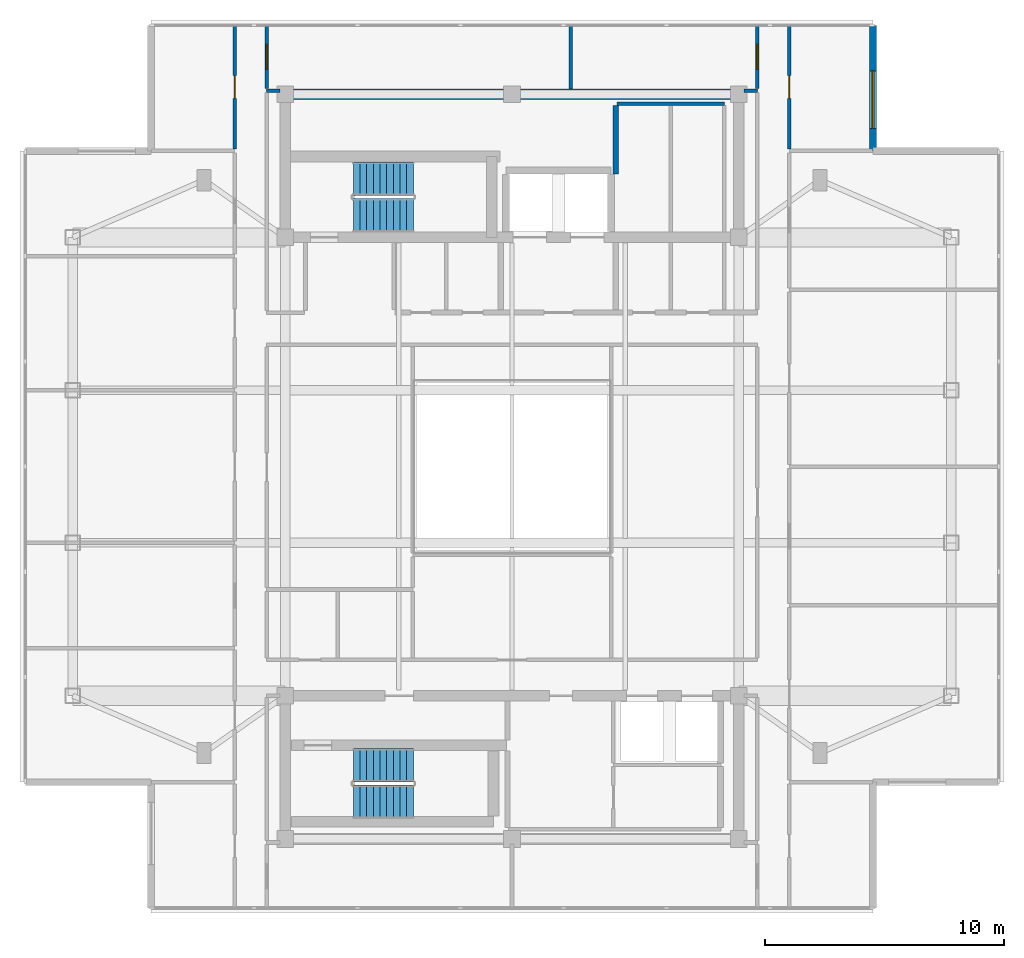
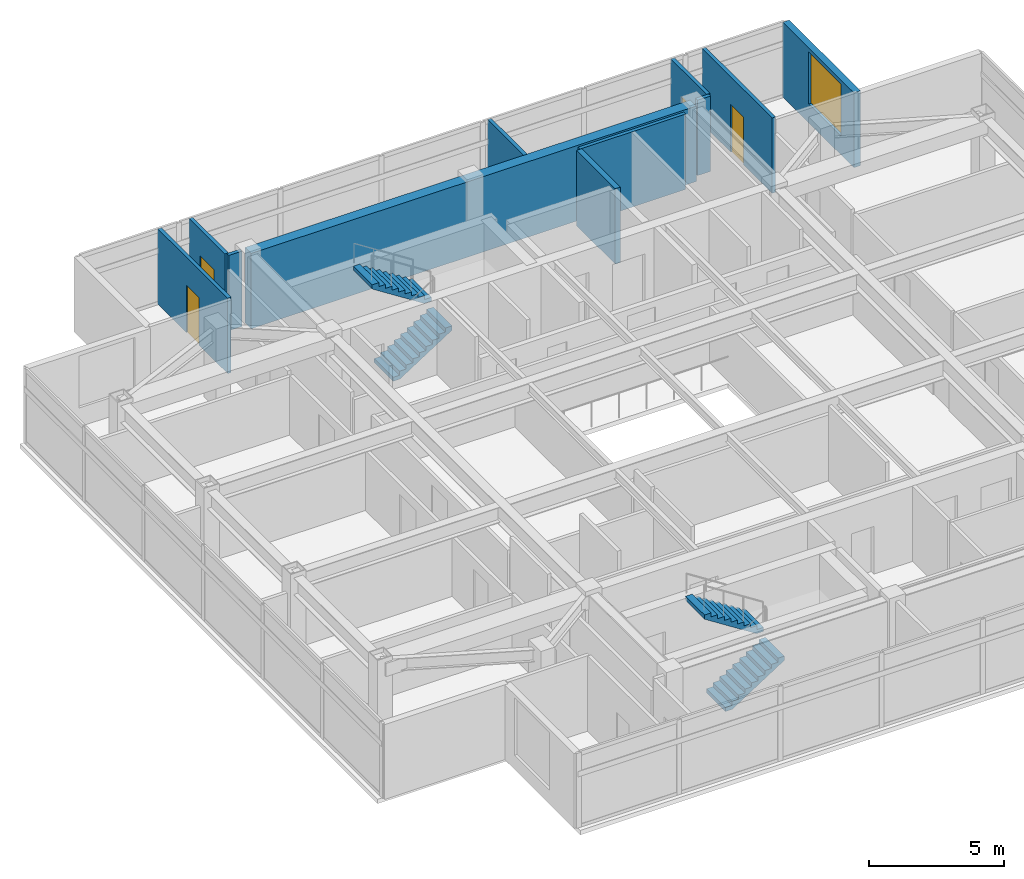
# One storey, part 8 of 12: 11 walls, 4 doors, 4 stair flights, 1 window, 5 openings, 2 elements without a shape of their own.
"""IFC4 building model written with IfcOpenShell, lengths in metres."""

from ifc_helpers import new_model, si_unit, direction, frame, frame_2d, origin, place, context, subcontext, project, spatial, polyline, rectangle, outline, extrude, material, layer, layer_set, type_object, element, fill, aggregate, save


model = new_model("IFC4")

# Units and contexts
model_context = context("Model", 3, precision=1e-05, world=origin(), true_north=direction((0.0, 1.0)))
body_context = subcontext(model_context, "Body", "Model", "MODEL_VIEW")
ifc_project = project(units=[si_unit("LENGTHUNIT", "METRE"), si_unit("AREAUNIT", "SQUARE_METRE"), si_unit("VOLUMEUNIT", "CUBIC_METRE"), si_unit("PLANEANGLEUNIT", "RADIAN"), si_unit("MASSUNIT", "GRAM", prefix="KILO")], contexts=[model_context])

# Site, building, storey
site_placement = place(None, origin())
site = spatial("IfcSite", under=ifc_project, at=site_placement, CompositionType="ELEMENT")
building_placement = place(site_placement, origin())
building = spatial("IfcBuilding", under=site, at=building_placement, Name="Mirazonda Arch Towers", CompositionType="ELEMENT")
storey_placement = place(building_placement, frame((0.0, 0.0, 256.300048828125)))
storey = spatial("IfcBuildingStorey", under=building, at=storey_placement, Name="L73", CompositionType="ELEMENT", Elevation=256.300048828125)

# Wall
ifc_material_1 = material(Name="Concrete C50/60", Category="concrete")
ifc_layer_1 = layer(ifc_material_1, 0.449951171875, Name="WALL-CORE-450")
ifc_layer_set_1 = layer_set([ifc_layer_1], Name="Concrete C50/60")
wall_type_1 = type_object("IfcWallType", Name="WALL-CORE-450", PredefinedType="SHEAR", material=ifc_layer_set_1)
wall_1_placement = place(storey_placement, frame((11.0, 43.60009765625, 0.0), z_axis=(0.0, 0.0, 1.0), x_axis=(1.0, 0.0, 0.0)))
element("IfcWall", 1, at=wall_1_placement, inside=storey, type_object=wall_type_1, Name="L73 T1N-N Core Shear Wall", PredefinedType="SHEAR", context=body_context, shape_type="SweptSolid", body=[
    extrude(rectangle(XDim=19.0, YDim=0.449951171875, at=frame_2d((9.5, 0.0))), origin(), (0.0, 0.0, 1.0), 3.39990234375),
])

# Wall, opening, window
ifc_material_2 = material(Name="Precast Concrete C40/50", Category="concrete")
ifc_layer_2 = layer(ifc_material_2, 0.280029296875, Name="WALL-EXT-WALL-280")
ifc_layer_set_2 = layer_set([ifc_layer_2], Name="Precast Concrete C40/50")
wall_type_2 = type_object("IfcWallType", Name="WALL-EXT-WALL-280", PredefinedType="SOLIDWALL", material=ifc_layer_set_2)
wall_2_placement = place(storey_placement, frame((35.625, 41.220947265625, 0.0), z_axis=(0.0, 0.0, 1.0), x_axis=(0.0, 1.0, 0.0)))
wall_2 = element("IfcWall", 2, at=wall_2_placement, inside=storey, type_object=wall_type_2, Name="L73 T1 Notched NE Corner Wall WL-L73-T1-CNE", PredefinedType="SOLIDWALL", context=body_context, shape_type="SweptSolid", body=[
    extrude(rectangle(XDim=5.26513671875, YDim=0.280029296875, at=frame_2d((2.632568359375, 0.0))), origin(), (0.0, 0.0, 1.0), 3.3798828125),
])
opening_1_placement = place(wall_2_placement, frame((0.949951171875, 0.0, 0.85009765625)))
opening_1 = element("IfcOpeningElement", 3, at=opening_1_placement, cuts=wall_2, Name="Opening WN-121", PredefinedType="OPENING", context=body_context, shape_type="SweptSolid", body=[
    extrude(rectangle(XDim=2.39990234375, YDim=2.35009765625, at=frame_2d((1.199951171875, 1.175048828125))), frame((0.0, 0.14990234375, 0.0), z_axis=(0.0, -1.0, 0.0), x_axis=(1.0, 0.0, 0.0)), (0.0, 0.0, 1.0), 0.300048828125),
])
ifc_material_3 = material(Name="Insulated Low-E Solar Glass", Category="glass")
window_type = type_object("IfcWindowType", Name="WIN-PENT-2400x2350", PartitioningType="SINGLE_PANEL", PredefinedType="WINDOW", material=ifc_material_3)
window_placement = place(opening_1_placement, origin())
window = element("IfcWindow", 4, at=window_placement, inside=storey, type_object=window_type, Name="L73 Punched Facade Window WN-L73-T1-CNE", OverallHeight=2.35009765625, OverallWidth=2.39990234375, PartitioningType="SINGLE_PANEL", PredefinedType="WINDOW", context=body_context, shape_type="SweptSolid", body=[
    extrude(rectangle(XDim=2.39990234375, YDim=2.35009765625, at=frame_2d((1.199951171875, 1.175048828125))), frame((0.0, 0.030029296875, 0.0), z_axis=(0.0, -1.0, 0.0), x_axis=(1.0, 0.0, 0.0)), (0.0, 0.0, 1.0), 0.06005859375),
])
fill(opening_1, window)

# Walls
ifc_material_4 = material(Name="Concrete C40/50", Category="concrete")
ifc_layer_3 = layer(ifc_material_4, 0.219970703125, Name="WALL-FFL-220")
ifc_layer_set_3 = layer_set([ifc_layer_3], Name="Concrete C40/50")
wall_type_3 = type_object("IfcWallType", Name="WALL-FFL-220", PredefinedType="SOLIDWALL", material=ifc_layer_set_3)
wall_3_placement = place(storey_placement, frame((24.85009765625, 40.260009765625, 0.0), z_axis=(0.0, 0.0, 1.0), x_axis=(0.0, 1.0, 0.0)))
element("IfcWall", 5, at=wall_3_placement, inside=storey, type_object=wall_type_3, Name="L73 Interior Partition 063", PredefinedType="SOLIDWALL", context=body_context, shape_type="SweptSolid", body=[
    extrude(rectangle(XDim=2.85498046875, YDim=0.219970703125, at=frame_2d((1.427490234375, 0.0))), origin(), (0.0, 0.0, 1.0), 3.39990234375),
])
ifc_material_5 = material(Name="Fire-Rated Gypsum Stud Partition")
ifc_layer_4 = layer(ifc_material_5, 0.14990234375, Name="WALL-PART-CORR-150")
ifc_layer_set_4 = layer_set([ifc_layer_4], Name="Fire-Rated Gypsum Stud Partition")
wall_type_4 = type_object("IfcWallType", Name="WALL-PART-CORR-150", PredefinedType="PARTITIONING", material=ifc_layer_set_4)
wall_4_placement = place(storey_placement, frame((24.89990234375, 43.199951171875, 0.0), z_axis=(0.0, 0.0, 1.0), x_axis=(1.0, 0.0, 0.0)))
element("IfcWall", 6, at=wall_4_placement, inside=storey, type_object=wall_type_4, Name="L73 Interior Partition 027", PredefinedType="PARTITIONING", context=body_context, shape_type="SweptSolid", body=[
    extrude(rectangle(XDim=4.5, YDim=0.14990234375, at=frame_2d((2.25, 0.0))), origin(), (0.0, 0.0, 1.0), 3.39990234375),
])
for number, where, z_axis, x_axis, name in (
    (7, (10.219970703125, 43.75, 0.0), (0.0, 0.0, 1.0), (1.0, 0.0, 0.0), "L73 Interior Partition 028"),
    (8, (30.219970703125, 43.75, 0.0), (0.0, 0.0, 1.0), (1.0, 0.0, 0.0), "L73 Interior Partition 029"),
):
    element("IfcWall", number, at=place(storey_placement, frame(where, z_axis=z_axis, x_axis=x_axis)), inside=storey, type_object=wall_type_4, Name=name, PredefinedType="PARTITIONING", context=body_context, shape_type="SweptSolid", body=[
        extrude(rectangle(XDim=0.56005859375, YDim=0.14990234375, at=frame_2d((0.280029296875, 0.0))), origin(), (0.0, 0.0, 1.0), 3.39990234375),
    ])

# Wall, opening, door
wall_5_placement = place(storey_placement, frame((8.8798828125, 41.305908203125, 0.0), z_axis=(0.0, 0.0, 1.0), x_axis=(0.0, 1.0, 0.0)))
wall_5 = element("IfcWall", 9, at=wall_5_placement, inside=storey, type_object=wall_type_4, Name="L73 Interior Partition 036", PredefinedType="PARTITIONING", context=body_context, shape_type="SweptSolid", body=[
    extrude(rectangle(XDim=5.18017578125, YDim=0.14990234375, at=frame_2d((2.590087890625, 0.0))), origin(), (0.0, 0.0, 1.0), 3.39990234375),
])
opening_2_placement = place(wall_5_placement, frame((2.114990234375, 0.0, 0.0)))
opening_2 = element("IfcOpeningElement", 10, at=opening_2_placement, cuts=wall_5, Name="Opening DR-104", PredefinedType="OPENING", context=body_context, shape_type="SweptSolid", body=[
    extrude(rectangle(XDim=0.949951171875, YDim=2.14990234375, at=frame_2d((0.47509765625, 1.074951171875))), frame((0.0, 0.0849609375, 0.0), z_axis=(0.0, -1.0, 0.0), x_axis=(1.0, 0.0, 0.0)), (0.0, 0.0, 1.0), 0.169921875),
])
ifc_material_6 = material(Name="Architectural Brushed Steel S355", Category="steel")
door_type_1 = type_object("IfcDoorType", Name="DOOR-ROOM-950", OperationType="NOTDEFINED", PredefinedType="DOOR", material=ifc_material_6)
door_1_placement = place(opening_2_placement, origin())
door_1 = element("IfcDoor", 11, at=door_1_placement, inside=storey, type_object=door_type_1, Name="L73 North Skyline Gallery Alcove West Door", OperationType="SINGLE_SWING_RIGHT", OverallHeight=2.14990234375, OverallWidth=0.949951171875, PredefinedType="DOOR", context=body_context, shape_type="SweptSolid", body=[
    extrude(rectangle(XDim=0.949951171875, YDim=2.14990234375, at=frame_2d((0.47509765625, 1.074951171875))), frame((0.0, 0.02490234375, 0.0), z_axis=(0.0, -1.0, 0.0), x_axis=(1.0, 0.0, 0.0)), (0.0, 0.0, 1.0), 0.050048828125),
])
fill(opening_2, door_1)

wall_6_placement = place(storey_placement, frame((10.219970703125, 43.8349609375, 0.0), z_axis=(0.0, 0.0, 1.0), x_axis=(0.0, 1.0, 0.0)))
wall_6 = element("IfcWall", 12, at=wall_6_placement, inside=storey, type_object=wall_type_4, Name="L73 Interior Partition 042", PredefinedType="PARTITIONING", context=body_context, shape_type="SweptSolid", body=[
    extrude(rectangle(XDim=2.651123046875, YDim=0.14990234375, at=frame_2d((1.32568359375, 0.0))), origin(), (0.0, 0.0, 1.0), 3.39990234375),
])
opening_3_placement = place(wall_6_placement, frame((0.800537109375, 0.0, 0.0)))
opening_3 = element("IfcOpeningElement", 13, at=opening_3_placement, cuts=wall_6, Name="Opening DR-121", PredefinedType="OPENING", context=body_context, shape_type="SweptSolid", body=[
    extrude(rectangle(XDim=1.050048828125, YDim=2.199951171875, at=frame_2d((0.52490234375, 1.10009765625))), frame((0.0, 0.0849609375, 0.0), z_axis=(0.0, -1.0, 0.0), x_axis=(1.0, 0.0, 0.0)), (0.0, 0.0, 1.0), 0.169921875),
])
door_type_2 = type_object("IfcDoorType", Name="DOOR-SUITE-FD60-1050", OperationType="NOTDEFINED", PredefinedType="DOOR", material=ifc_material_6)
door_2_placement = place(opening_3_placement, origin())
door_2 = element("IfcDoor", 14, at=door_2_placement, inside=storey, type_object=door_type_2, Name="L73 North Skyline Gallery West Door", OperationType="SINGLE_SWING_RIGHT", OverallHeight=2.199951171875, OverallWidth=1.050048828125, PredefinedType="DOOR", context=body_context, shape_type="SweptSolid", body=[
    extrude(rectangle(XDim=1.050048828125, YDim=2.199951171875, at=frame_2d((0.52490234375, 1.10009765625))), frame((0.0, 0.02490234375, 0.0), z_axis=(0.0, -1.0, 0.0), x_axis=(1.0, 0.0, 0.0)), (0.0, 0.0, 1.0), 0.050048828125),
])
fill(opening_3, door_2)

# Wall
wall_7_placement = place(storey_placement, frame((22.967041015625, 43.820068359375, 0.0), z_axis=(0.0, 0.0, 1.0), x_axis=(0.0, 1.0, 0.0)))
element("IfcWall", 15, at=wall_7_placement, inside=storey, type_object=wall_type_4, Name="L73 Interior Partition 056", PredefinedType="PARTITIONING", context=body_context, shape_type="SweptSolid", body=[
    extrude(rectangle(XDim=2.666015625, YDim=0.14990234375, at=frame_2d((1.3330078125, 0.0))), origin(), (0.0, 0.0, 1.0), 3.39990234375),
])

# Wall, opening, door
wall_8_placement = place(storey_placement, frame((30.780029296875, 43.8349609375, 0.0), z_axis=(0.0, 0.0, 1.0), x_axis=(0.0, 1.0, 0.0)))
wall_8 = element("IfcWall", 16, at=wall_8_placement, inside=storey, type_object=wall_type_4, Name="L73 Interior Partition 074", PredefinedType="PARTITIONING", context=body_context, shape_type="SweptSolid", body=[
    extrude(rectangle(XDim=2.651123046875, YDim=0.14990234375, at=frame_2d((1.32568359375, 0.0))), origin(), (0.0, 0.0, 1.0), 3.39990234375),
])
opening_4_placement = place(wall_8_placement, frame((0.800537109375, 0.0, 0.0)))
opening_4 = element("IfcOpeningElement", 17, at=opening_4_placement, cuts=wall_8, Name="Opening DR-121", PredefinedType="OPENING", context=body_context, shape_type="SweptSolid", body=[
    extrude(rectangle(XDim=1.050048828125, YDim=2.199951171875, at=frame_2d((0.52490234375, 1.10009765625))), frame((0.0, 0.0849609375, 0.0), z_axis=(0.0, -1.0, 0.0), x_axis=(1.0, 0.0, 0.0)), (0.0, 0.0, 1.0), 0.169921875),
])
door_3_placement = place(opening_4_placement, origin())
door_3 = element("IfcDoor", 18, at=door_3_placement, inside=storey, type_object=door_type_2, Name="L73 North Skyline Gallery East Door", OperationType="SINGLE_SWING_LEFT", OverallHeight=2.199951171875, OverallWidth=1.050048828125, PredefinedType="DOOR", context=body_context, shape_type="SweptSolid", body=[
    extrude(rectangle(XDim=1.050048828125, YDim=2.199951171875, at=frame_2d((0.52490234375, 1.10009765625))), frame((0.0, 0.02490234375, 0.0), z_axis=(0.0, -1.0, 0.0), x_axis=(1.0, 0.0, 0.0)), (0.0, 0.0, 1.0), 0.050048828125),
])
fill(opening_4, door_3)

wall_9_placement = place(storey_placement, frame((32.1201171875, 41.305908203125, 0.0), z_axis=(0.0, 0.0, 1.0), x_axis=(0.0, 1.0, 0.0)))
wall_9 = element("IfcWall", 19, at=wall_9_placement, inside=storey, type_object=wall_type_4, Name="L73 Interior Partition 080", PredefinedType="PARTITIONING", context=body_context, shape_type="SweptSolid", body=[
    extrude(rectangle(XDim=5.18017578125, YDim=0.14990234375, at=frame_2d((2.590087890625, 0.0))), origin(), (0.0, 0.0, 1.0), 3.39990234375),
])
opening_5_placement = place(wall_9_placement, frame((2.114990234375, 0.0, 0.0)))
opening_5 = element("IfcOpeningElement", 20, at=opening_5_placement, cuts=wall_9, Name="Opening DR-104", PredefinedType="OPENING", context=body_context, shape_type="SweptSolid", body=[
    extrude(rectangle(XDim=0.949951171875, YDim=2.14990234375, at=frame_2d((0.47509765625, 1.074951171875))), frame((0.0, 0.0849609375, 0.0), z_axis=(0.0, -1.0, 0.0), x_axis=(1.0, 0.0, 0.0)), (0.0, 0.0, 1.0), 0.169921875),
])
door_4_placement = place(opening_5_placement, origin())
door_4 = element("IfcDoor", 21, at=door_4_placement, inside=storey, type_object=door_type_1, Name="L73 North Skyline Gallery Alcove East Door", OperationType="SINGLE_SWING_LEFT", OverallHeight=2.14990234375, OverallWidth=0.949951171875, PredefinedType="DOOR", context=body_context, shape_type="SweptSolid", body=[
    extrude(rectangle(XDim=0.949951171875, YDim=2.14990234375, at=frame_2d((0.47509765625, 1.074951171875))), frame((0.0, 0.02490234375, 0.0), z_axis=(0.0, -1.0, 0.0), x_axis=(1.0, 0.0, 0.0)), (0.0, 0.0, 1.0), 0.050048828125),
])
fill(opening_5, door_4)

# Stair, stair flights
stair_type = type_object("IfcStairType", Name="STAIR-CORE-1400", PredefinedType="HALF_TURN_STAIR", material=ifc_material_4)
stair_1_placement = place(storey_placement, origin())
stair_1 = element("IfcStair", 22, at=stair_1_placement, inside=storey, type_object=stair_type, Name="L73 Protected Exit Stair ST-T1N", PredefinedType="HALF_TURN_STAIR")
stair_flight_type = type_object("IfcStairFlightType", Name="FLIGHT-1400", PredefinedType="STRAIGHT", material=ifc_material_4)
stair_flight_1_placement = place(storey_placement, frame((13.85009765625, 38.52001953125, 0.0), z_axis=(0.0, 0.0, 1.0), x_axis=(1.0, 0.0, 0.0)))
stair_flight_1 = element("IfcStairFlight", 23, at=stair_flight_1_placement, type_object=stair_flight_type, Name="ST-T1N flight 1", NumberOfRisers=10, NumberOfTreads=9, PredefinedType="STRAIGHT", RiserHeight=0.18, TreadLength=0.28, context=body_context, shape_type="SweptSolid", body=[
    extrude(outline(polyline([(0.0, 0.0), (0.0, 0.179931640625), (0.280029296875, 0.179931640625), (0.280029296875, 0.360107421875), (0.56005859375, 0.360107421875), (0.56005859375, 0.5400390625), (0.840087890625, 0.5400390625), (0.840087890625, 0.719970703125), (1.1201171875, 0.719970703125), (1.1201171875, 0.89990234375), (1.39990234375, 0.89990234375), (1.39990234375, 1.080078125), (1.679931640625, 1.080078125), (1.679931640625, 1.260009765625), (1.9599609375, 1.260009765625), (1.9599609375, 1.43994140625), (2.239990234375, 1.43994140625), (2.239990234375, 1.6201171875), (2.52001953125, 1.6201171875), (2.52001953125, 1.800048828125), (2.52001953125, 1.429931640625), (0.295654296875, 0.0), (0.0, 0.0)])), frame((0.0, 0.699951171875, 0.0), z_axis=(0.0, -1.0, 0.0), x_axis=(1.0, 0.0, 0.0)), (0.0, 0.0, 1.0), 1.39990234375),
])
stair_flight_2_placement = place(storey_placement, frame((16.3701171875, 40.06005859375, 1.800048828125), z_axis=(0.0, 0.0, 1.0), x_axis=(-1.0, 0.0, 0.0)))
stair_flight_2 = element("IfcStairFlight", 24, at=stair_flight_2_placement, type_object=stair_flight_type, Name="ST-T1N flight 2", NumberOfRisers=10, NumberOfTreads=9, PredefinedType="STRAIGHT", RiserHeight=0.18, TreadLength=0.28, context=body_context, shape_type="SweptSolid", body=[
    extrude(outline(polyline([(0.0, 0.0), (0.0, 0.179931640625), (0.280029296875, 0.179931640625), (0.280029296875, 0.360107421875), (0.56005859375, 0.360107421875), (0.56005859375, 0.5400390625), (0.840087890625, 0.5400390625), (0.840087890625, 0.719970703125), (1.1201171875, 0.719970703125), (1.1201171875, 0.89990234375), (1.39990234375, 0.89990234375), (1.39990234375, 1.080078125), (1.679931640625, 1.080078125), (1.679931640625, 1.260009765625), (1.9599609375, 1.260009765625), (1.9599609375, 1.43994140625), (2.239990234375, 1.43994140625), (2.239990234375, 1.6201171875), (2.52001953125, 1.6201171875), (2.52001953125, 1.800048828125), (2.52001953125, 1.429931640625), (0.295654296875, 0.0), (0.0, 0.0)])), frame((0.0, 0.699951171875, 0.0), z_axis=(0.0, -1.0, 0.0), x_axis=(1.0, 0.0, 0.0)), (0.0, 0.0, 1.0), 1.39990234375),
])
aggregate(stair_1, [stair_flight_1, stair_flight_2])

stair_2_placement = place(storey_placement, origin())
stair_2 = element("IfcStair", 25, at=stair_2_placement, inside=storey, type_object=stair_type, Name="L73 Protected Exit Stair ST-T1S", PredefinedType="HALF_TURN_STAIR")
stair_flight_3_placement = place(storey_placement, frame((13.85009765625, 13.949951171875, 0.0), z_axis=(0.0, 0.0, 1.0), x_axis=(1.0, 0.0, 0.0)))
stair_flight_3 = element("IfcStairFlight", 26, at=stair_flight_3_placement, type_object=stair_flight_type, Name="ST-T1S flight 1", NumberOfRisers=10, NumberOfTreads=9, PredefinedType="STRAIGHT", RiserHeight=0.18, TreadLength=0.28, context=body_context, shape_type="SweptSolid", body=[
    extrude(outline(polyline([(0.0, 0.0), (0.0, 0.179931640625), (0.280029296875, 0.179931640625), (0.280029296875, 0.360107421875), (0.56005859375, 0.360107421875), (0.56005859375, 0.5400390625), (0.840087890625, 0.5400390625), (0.840087890625, 0.719970703125), (1.1201171875, 0.719970703125), (1.1201171875, 0.89990234375), (1.39990234375, 0.89990234375), (1.39990234375, 1.080078125), (1.679931640625, 1.080078125), (1.679931640625, 1.260009765625), (1.9599609375, 1.260009765625), (1.9599609375, 1.43994140625), (2.239990234375, 1.43994140625), (2.239990234375, 1.6201171875), (2.52001953125, 1.6201171875), (2.52001953125, 1.800048828125), (2.52001953125, 1.429931640625), (0.295654296875, 0.0), (0.0, 0.0)])), frame((0.0, 0.699951171875, 0.0), z_axis=(0.0, -1.0, 0.0), x_axis=(1.0, 0.0, 0.0)), (0.0, 0.0, 1.0), 1.39990234375),
])
stair_flight_4_placement = place(storey_placement, frame((16.3701171875, 15.489990234375, 1.800048828125), z_axis=(0.0, 0.0, 1.0), x_axis=(-1.0, 0.0, 0.0)))
stair_flight_4 = element("IfcStairFlight", 27, at=stair_flight_4_placement, type_object=stair_flight_type, Name="ST-T1S flight 2", NumberOfRisers=10, NumberOfTreads=9, PredefinedType="STRAIGHT", RiserHeight=0.18, TreadLength=0.28, context=body_context, shape_type="SweptSolid", body=[
    extrude(outline(polyline([(0.0, 0.0), (0.0, 0.179931640625), (0.280029296875, 0.179931640625), (0.280029296875, 0.360107421875), (0.56005859375, 0.360107421875), (0.56005859375, 0.5400390625), (0.840087890625, 0.5400390625), (0.840087890625, 0.719970703125), (1.1201171875, 0.719970703125), (1.1201171875, 0.89990234375), (1.39990234375, 0.89990234375), (1.39990234375, 1.080078125), (1.679931640625, 1.080078125), (1.679931640625, 1.260009765625), (1.9599609375, 1.260009765625), (1.9599609375, 1.43994140625), (2.239990234375, 1.43994140625), (2.239990234375, 1.6201171875), (2.52001953125, 1.6201171875), (2.52001953125, 1.800048828125), (2.52001953125, 1.429931640625), (0.295654296875, 0.0), (0.0, 0.0)])), frame((0.0, 0.699951171875, 0.0), z_axis=(0.0, -1.0, 0.0), x_axis=(1.0, 0.0, 0.0)), (0.0, 0.0, 1.0), 1.39990234375),
])
aggregate(stair_2, [stair_flight_3, stair_flight_4])

save(model, "model.ifc")
